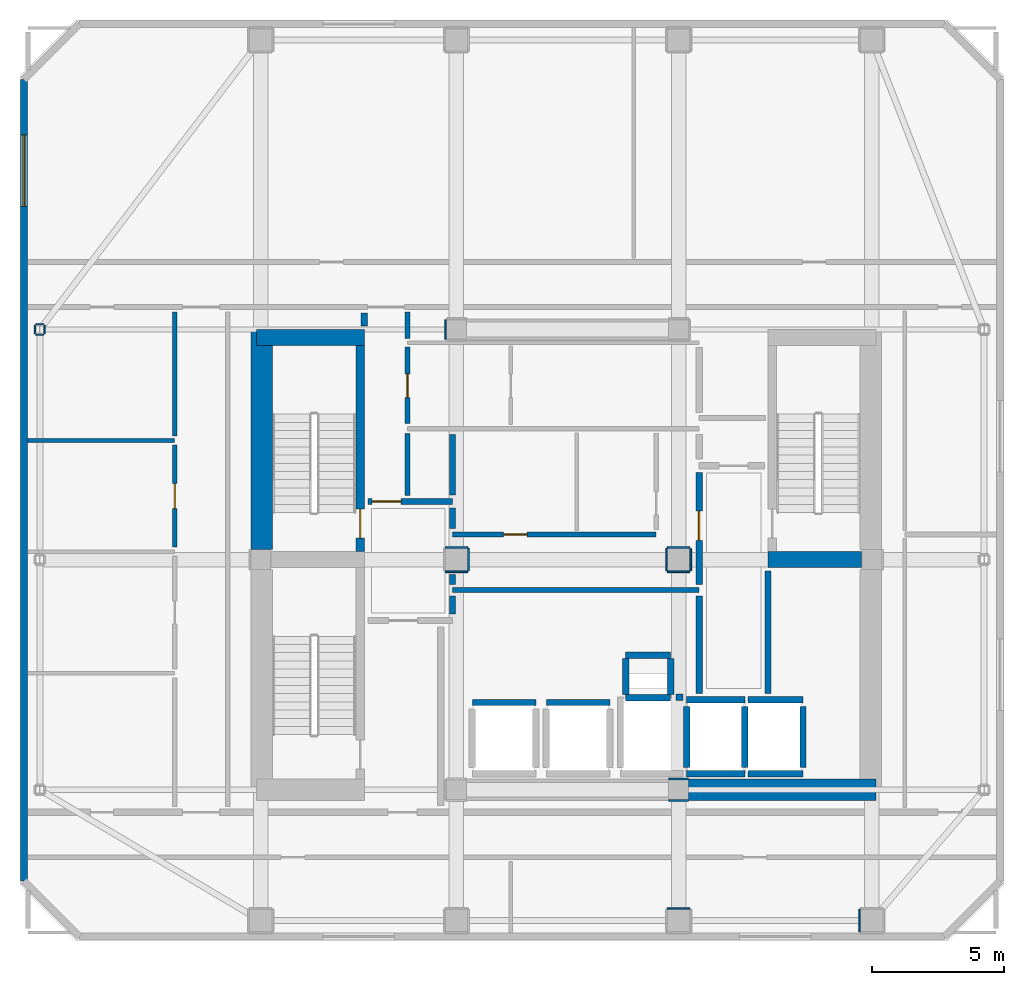
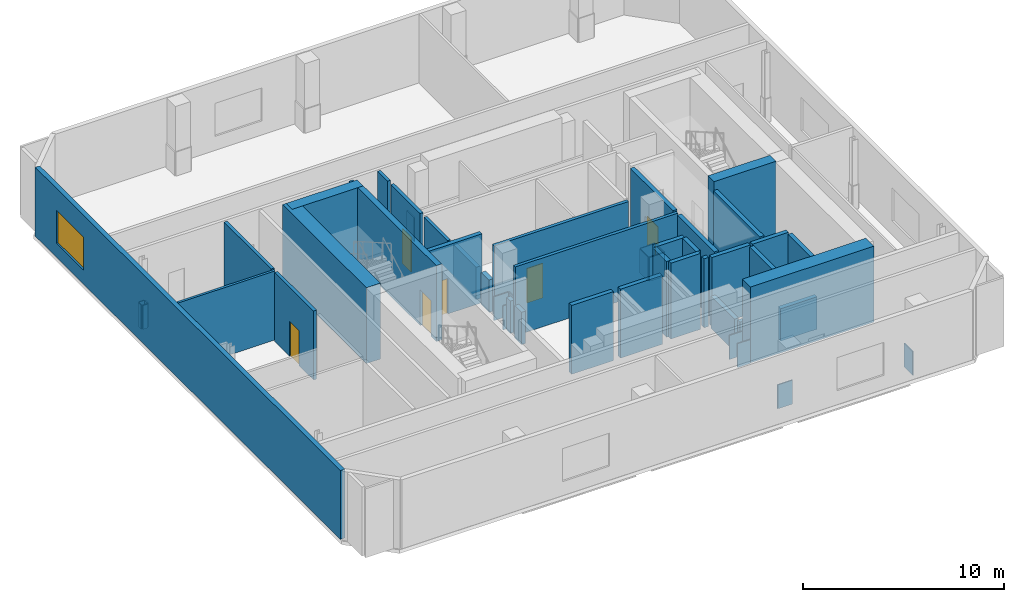
# One storey, part 5 of 9: 53 walls, 6 doors, 1 window, 7 openings.
"""IFC4 building model written with IfcOpenShell, lengths in metres."""

from ifc_helpers import new_model, si_unit, direction, frame, frame_2d, origin, place, context, subcontext, project, spatial, rectangle, extrude, material, layer, layer_set, type_object, element, fill, save


model = new_model("IFC4")

# Units and contexts
model_context = context("Model", 3, precision=1e-05, world=origin(), true_north=direction((0.0, 1.0)))
body_context = subcontext(model_context, "Body", "Model", "MODEL_VIEW")
ifc_project = project(units=[si_unit("LENGTHUNIT", "METRE"), si_unit("AREAUNIT", "SQUARE_METRE"), si_unit("VOLUMEUNIT", "CUBIC_METRE"), si_unit("PLANEANGLEUNIT", "RADIAN"), si_unit("MASSUNIT", "GRAM", prefix="KILO")], contexts=[model_context])

# Site, building, storey
site_placement = place(None, origin())
site = spatial("IfcSite", under=ifc_project, at=site_placement, CompositionType="ELEMENT")
building_placement = place(site_placement, origin())
building = spatial("IfcBuilding", under=site, at=building_placement, Name="Solanera Arch Residences", CompositionType="ELEMENT")
storey_placement = place(building_placement, frame((0.0, 0.0, 273.47998046875)))
storey = spatial("IfcBuildingStorey", under=building, at=storey_placement, Name="L79", CompositionType="ELEMENT", Elevation=273.47998046875)

# Walls
ifc_material_1 = material(Name="Fire-Rated Gypsum Stud Partition", Category="gypsum")
ifc_layer_1 = layer(ifc_material_1, 0.06005859375)
ifc_layer_set_1 = layer_set([ifc_layer_1], Name="Fire-Rated Gypsum Stud Partition")
wall_type_1 = type_object("IfcWallType", Name="Column Acoustic Furring Wall 60", PredefinedType="PARTITIONING", material=ifc_layer_set_1)
for number, where, z_axis, x_axis, name in (
    (1, (28.8330078125, 21.593017578125, 0.0), (0.0, 0.0, 1.0), (1.0, 0.0, 0.0), "L79 Column Furring 2S"),
    (2, (28.8330078125, 22.406982421875, 0.0), (0.0, 0.0, 1.0), (1.0, 0.0, 0.0), "L79 Column Furring 2N"),
):
    element("IfcWall", number, at=place(storey_placement, frame(where, z_axis=z_axis, x_axis=x_axis)), inside=storey, type_object=wall_type_1, Name=name, PredefinedType="PARTITIONING", context=body_context, shape_type="SweptSolid", body=[
        extrude(rectangle(XDim=0.73388671875, YDim=0.06005859375, at=frame_2d((0.366943359375, 0.0))), origin(), (0.0, 0.0, 1.0), 1.449951171875),
    ])
wall_1_placement = place(storey_placement, frame((20.39306640625, 39.02490234375, 0.0), z_axis=(0.0, 0.0, 1.0), x_axis=(0.0, 1.0, 0.0)))
element("IfcWall", 3, at=wall_1_placement, inside=storey, type_object=wall_type_1, Name="L79 Column Furring 3W", PredefinedType="PARTITIONING", context=body_context, shape_type="SweptSolid", body=[
    extrude(rectangle(XDim=0.75, YDim=0.06005859375, at=frame_2d((0.375, 0.0))), origin(), (0.0, 0.0, 1.0), 1.449951171875),
])
for number, where, z_axis, x_axis, name in (
    (4, (20.375, 30.242919921875, 0.0), (0.0, 0.0, 1.0), (1.0, 0.0, 0.0), "L79 Column Furring 7S"),
    (5, (20.375, 31.156982421875, 0.0), (0.0, 0.0, 1.0), (1.0, 0.0, 0.0), "L79 Column Furring 7N"),
    (6, (21.257080078125, 30.27490234375, 0.0), (0.0, 0.0, 1.0), (0.0, 1.0, 0.0), "L79 Column Furring 7E"),
    (7, (28.77490234375, 30.242919921875, 0.0), (0.0, 0.0, 1.0), (1.0, 0.0, 0.0), "L79 Column Furring 8S"),
):
    element("IfcWall", number, at=place(storey_placement, frame(where, z_axis=z_axis, x_axis=x_axis)), inside=storey, type_object=wall_type_1, Name=name, PredefinedType="PARTITIONING", context=body_context, shape_type="SweptSolid", body=[
        extrude(rectangle(XDim=0.85009765625, YDim=0.06005859375, at=frame_2d((0.425048828125, 0.0))), origin(), (0.0, 0.0, 1.0), 1.449951171875),
    ])
wall_2_placement = place(storey_placement, frame((28.77490234375, 31.156982421875, 0.0), z_axis=(0.0, 0.0, 1.0), x_axis=(1.0, 0.0, 0.0)))
element("IfcWall", 8, at=wall_2_placement, inside=storey, type_object=wall_type_1, Name="L79 Column Furring 8N", PredefinedType="PARTITIONING", context=body_context, shape_type="SweptSolid", body=[
    extrude(rectangle(XDim=0.843017578125, YDim=0.06005859375, at=frame_2d((0.42138671875, 0.0))), origin(), (0.0, 0.0, 1.0), 1.449951171875),
])
wall_3_placement = place(storey_placement, frame((28.742919921875, 30.27490234375, 0.0), z_axis=(0.0, 0.0, 1.0), x_axis=(0.0, 1.0, 0.0)))
element("IfcWall", 9, at=wall_3_placement, inside=storey, type_object=wall_type_1, Name="L79 Column Furring 8W", PredefinedType="PARTITIONING", context=body_context, shape_type="SweptSolid", body=[
    extrude(rectangle(XDim=0.85009765625, YDim=0.06005859375, at=frame_2d((0.425048828125, 0.0))), origin(), (0.0, 0.0, 1.0), 1.449951171875),
])
wall_4_placement = place(storey_placement, frame((29.656982421875, 30.27490234375, 0.0), z_axis=(0.0, 0.0, 1.0), x_axis=(0.0, 1.0, 0.0)))
element("IfcWall", 10, at=wall_4_placement, inside=storey, type_object=wall_type_1, Name="L79 Column Furring 8E", PredefinedType="PARTITIONING", context=body_context, shape_type="SweptSolid", body=[
    extrude(rectangle(XDim=0.837158203125, YDim=0.06005859375, at=frame_2d((0.41845703125, 0.0))), origin(), (0.0, 0.0, 1.0), 1.449951171875),
])
for number, where, z_axis, x_axis, name in (
    (11, (28.77490234375, 17.507080078125, 0.0), (0.0, 0.0, 1.0), (1.0, 0.0, 0.0), "L79 Column Furring 13N"),
    (12, (36.04296875, 16.625, 0.0), (0.0, 0.0, 1.0), (0.0, 1.0, 0.0), "L79 Column Furring 15W"),
):
    element("IfcWall", number, at=place(storey_placement, frame(where, z_axis=z_axis, x_axis=x_axis)), inside=storey, type_object=wall_type_1, Name=name, PredefinedType="PARTITIONING", context=body_context, shape_type="SweptSolid", body=[
        extrude(rectangle(XDim=0.85009765625, YDim=0.06005859375, at=frame_2d((0.425048828125, 0.0))), origin(), (0.0, 0.0, 1.0), 1.449951171875),
    ])
for number, where, z_axis, x_axis, name in (
    (13, (4.89697265625, 39.214111328125, 0.0), (0.0, 0.0, 1.0), (1.0, 0.0, 0.0), "L79 Column Furring 21S"),
    (14, (4.89697265625, 39.5859375, 0.0), (0.0, 0.0, 1.0), (1.0, 0.0, 0.0), "L79 Column Furring 21N"),
):
    element("IfcWall", number, at=place(storey_placement, frame(where, z_axis=z_axis, x_axis=x_axis)), inside=storey, type_object=wall_type_1, Name=name, PredefinedType="PARTITIONING", context=body_context, shape_type="SweptSolid", body=[
        extrude(rectangle(XDim=0.304931640625, YDim=0.06005859375, at=frame_2d((0.15234375, 0.0))), origin(), (0.0, 0.0, 1.0), 1.449951171875),
    ])
for number, where, z_axis, x_axis, name in (
    (15, (4.864990234375, 39.24609375, 0.0), (0.0, 0.0, 1.0), (0.0, 1.0, 0.0), "L79 Column Furring 21W"),
    (16, (5.23388671875, 39.24609375, 0.0), (0.0, 0.0, 1.0), (0.0, 1.0, 0.0), "L79 Column Furring 21E"),
):
    element("IfcWall", number, at=place(storey_placement, frame(where, z_axis=z_axis, x_axis=x_axis)), inside=storey, type_object=wall_type_1, Name=name, PredefinedType="PARTITIONING", context=body_context, shape_type="SweptSolid", body=[
        extrude(rectangle(XDim=0.307861328125, YDim=0.06005859375, at=frame_2d((0.15380859375, 0.0))), origin(), (0.0, 0.0, 1.0), 1.449951171875),
    ])

# Wall, opening, door
ifc_material_2 = material(Name="Concrete C40/50 (f'c = 45 MPa)", Category="concrete")
ifc_layer_2 = layer(ifc_material_2, 0.320068359375)
ifc_layer_set_2 = layer_set([ifc_layer_2], Name="Concrete C40/50 (f'c = 45 MPa)")
wall_type_2 = type_object("IfcWallType", Name="Core Shear Wall CW-320", PredefinedType="SHEAR", material=ifc_layer_set_2)
wall_5_placement = place(storey_placement, frame((17.159912109375, 31.0, 0.0), z_axis=(0.0, 0.0, 1.0), x_axis=(0.0, 1.0, 0.0)))
wall_5 = element("IfcWall", 17, at=wall_5_placement, inside=storey, type_object=wall_type_2, Name="L79 Stair ST-T1 East Shear Wall", PredefinedType="SHEAR", context=body_context, shape_type="SweptSolid", body=[
    extrude(rectangle(XDim=7.800048828125, YDim=0.320068359375, at=frame_2d((3.89990234375, 0.0))), origin(), (0.0, 0.0, 1.0), 4.60009765625),
])
opening_1_placement = place(wall_5_placement, frame((0.510009765625, 0.0, 0.0)))
opening_1 = element("IfcOpeningElement", 18, at=opening_1_placement, cuts=wall_5, Name="Opening DF-01", PredefinedType="OPENING", context=body_context, shape_type="SweptSolid", body=[
    extrude(rectangle(XDim=1.10009765625, YDim=2.14990234375, at=frame_2d((0.550048828125, 1.074951171875))), frame((0.0, 0.169921875, 0.0), z_axis=(0.0, -1.0, 0.0), x_axis=(1.0, 0.0, 0.0)), (0.0, 0.0, 1.0), 0.3401),
])
ifc_material_3 = material(Name="Fire-Rated Architectural Hardwood", Category="wood")
door_type_1 = type_object("IfcDoorType", Name="Stair Exit Fire Door DF-01", OperationType="NOTDEFINED", PredefinedType="DOOR", material=ifc_material_3)
door_1_placement = place(opening_1_placement, origin())
door_1 = element("IfcDoor", 19, at=door_1_placement, inside=storey, type_object=door_type_1, Name="DR-L79-STAIR-ST-T1", OperationType="SINGLE_SWING_RIGHT", OverallHeight=2.14990234375, OverallWidth=1.10009765625, PredefinedType="DOOR", context=body_context, shape_type="SweptSolid", body=[
    extrude(rectangle(XDim=1.10009765625, YDim=2.14990234375, at=frame_2d((0.550048828125, 1.074951171875))), frame((0.0, 0.02490234375, 0.0), z_axis=(0.0, -1.0, 0.0), x_axis=(1.0, 0.0, 0.0)), (0.0, 0.0, 1.0), 0.050048828125),
])
fill(opening_1, door_1)

# Walls
ifc_material_4 = material(Name="Concrete C40/50 (f'c = 45 MPa)", Category="concrete")
ifc_layer_3 = layer(ifc_material_4, 0.60009765625)
ifc_layer_set_3 = layer_set([ifc_layer_3], Name="Concrete C40/50 (f'c = 45 MPa)")
wall_type_3 = type_object("IfcWallType", Name="Core Shear Wall CW-600", PredefinedType="SHEAR", material=ifc_layer_set_3)
wall_6_placement = place(storey_placement, frame((13.239990234375, 39.10009765625, 0.0), z_axis=(0.0, 0.0, 1.0), x_axis=(1.0, 0.0, 0.0)))
element("IfcWall", 20, at=wall_6_placement, inside=storey, type_object=wall_type_3, Name="L79 North-West Core Shear Wall", PredefinedType="SHEAR", context=body_context, shape_type="SweptSolid", body=[
    extrude(rectangle(XDim=4.080078125, YDim=0.60009765625, at=frame_2d((2.0400390625, 0.0))), origin(), (0.0, 0.0, 1.0), 4.60009765625),
])
wall_7_placement = place(storey_placement, frame((32.580078125, 30.699951171875, 0.0), z_axis=(0.0, 0.0, 1.0), x_axis=(1.0, 0.0, 0.0)))
element("IfcWall", 21, at=wall_7_placement, inside=storey, type_object=wall_type_3, Name="L79 East Stair Far-Landing Shear Wall", PredefinedType="SHEAR", context=body_context, shape_type="SweptSolid", body=[
    extrude(rectangle(XDim=3.5400390625, YDim=0.60009765625, at=frame_2d((1.77001953125, 0.0))), origin(), (0.0, 0.0, 1.0), 4.60009765625),
])
ifc_material_5 = material(Name="Concrete C40/50 (f'c = 45 MPa)", Category="concrete")
ifc_layer_4 = layer(ifc_material_5, 0.800048828125)
ifc_layer_set_4 = layer_set([ifc_layer_4], Name="Concrete C40/50 (f'c = 45 MPa)")
wall_type_4 = type_object("IfcWallType", Name="Core Shear Wall CW-800", PredefinedType="SHEAR", material=ifc_layer_set_4)
wall_8_placement = place(storey_placement, frame((13.43994140625, 31.080078125, 0.0), z_axis=(0.0, 0.0, 1.0), x_axis=(0.0, 1.0, 0.0)))
element("IfcWall", 22, at=wall_8_placement, inside=storey, type_object=wall_type_4, Name="L79 West Core North Shear Wall", PredefinedType="SHEAR", context=body_context, shape_type="SweptSolid", body=[
    extrude(rectangle(XDim=8.31982421875, YDim=0.800048828125, at=frame_2d((4.159912109375, 0.0))), origin(), (0.0, 0.0, 1.0), 4.60009765625),
])
wall_9_placement = place(storey_placement, frame((29.580078125, 22.0, 0.0), z_axis=(0.0, 0.0, 1.0), x_axis=(1.0, 0.0, 0.0)))
element("IfcWall", 23, at=wall_9_placement, inside=storey, type_object=wall_type_4, Name="L79 South-East Core Shear Wall", PredefinedType="SHEAR", context=body_context, shape_type="SweptSolid", body=[
    extrude(rectangle(XDim=7.079833984375, YDim=0.800048828125, at=frame_2d((3.5400390625, 0.0))), origin(), (0.0, 0.0, 1.0), 4.60009765625),
])
ifc_material_6 = material(Name="Autoclaved Aerated Concrete Blockwork", Category="masonry")
ifc_layer_5 = layer(ifc_material_6, 0.179931640625)
ifc_layer_set_5 = layer_set([ifc_layer_5], Name="Autoclaved Aerated Concrete Blockwork")
wall_type_5 = type_object("IfcWallType", Name="Corridor Fire Partition 180", PredefinedType="PARTITIONING", material=ifc_layer_set_5)
wall_10_placement = place(storey_placement, frame((20.64990234375, 29.550048828125, 0.0), z_axis=(0.0, 0.0, 1.0), x_axis=(1.0, 0.0, 0.0)))
element("IfcWall", 24, at=wall_10_placement, inside=storey, type_object=wall_type_5, Name="L79 Interior Partition H7", PredefinedType="PARTITIONING", context=body_context, shape_type="SweptSolid", body=[
    extrude(rectangle(XDim=9.3251953125, YDim=0.179931640625, at=frame_2d((4.66259765625, 0.0))), origin(), (0.0, 0.0, 1.0), 4.179931640625),
])

# Wall, opening, door
wall_11_placement = place(storey_placement, frame((20.64990234375, 31.64990234375, 0.0), z_axis=(0.0, 0.0, 1.0), x_axis=(1.0, 0.0, 0.0)))
wall_11 = element("IfcWall", 25, at=wall_11_placement, inside=storey, type_object=wall_type_5, Name="L79 Interior Partition H8", PredefinedType="PARTITIONING", context=body_context, shape_type="SweptSolid", body=[
    extrude(rectangle(XDim=7.7001953125, YDim=0.179931640625, at=frame_2d((3.85009765625, 0.0))), origin(), (0.0, 0.0, 1.0), 4.179931640625),
])
opening_2_placement = place(wall_11_placement, frame((1.924072265625, 0.0, 0.0)))
opening_2 = element("IfcOpeningElement", 26, at=opening_2_placement, cuts=wall_11, Name="Opening DI-02", PredefinedType="OPENING", context=body_context, shape_type="SweptSolid", body=[
    extrude(rectangle(XDim=0.89990234375, YDim=2.10009765625, at=frame_2d((0.449951171875, 1.050048828125))), frame((0.0, 0.10009765625, 0.0), z_axis=(0.0, -1.0, 0.0), x_axis=(1.0, 0.0, 0.0)), (0.0, 0.0, 1.0), 0.1999),
])
ifc_material_7 = material(Name="Fire-Rated Architectural Hardwood", Category="wood")
door_type_2 = type_object("IfcDoorType", Name="Suite Room Swing Door DI-02", OperationType="NOTDEFINED", PredefinedType="DOOR", material=ifc_material_7)
door_2_placement = place(opening_2_placement, origin())
door_2 = element("IfcDoor", 27, at=door_2_placement, inside=storey, type_object=door_type_2, Name="DR-L79-IN-014", OperationType="SINGLE_SWING_LEFT", OverallHeight=2.10009765625, OverallWidth=0.89990234375, PredefinedType="DOOR", context=body_context, shape_type="SweptSolid", body=[
    extrude(rectangle(XDim=0.89990234375, YDim=2.10009765625, at=frame_2d((0.449951171875, 1.050048828125))), frame((0.0, 0.02490234375, 0.0), z_axis=(0.0, -1.0, 0.0), x_axis=(1.0, 0.0, 0.0)), (0.0, 0.0, 1.0), 0.050048828125),
])
fill(opening_2, door_2)

wall_12_placement = place(storey_placement, frame((10.14990234375, 31.16796875, 0.0), z_axis=(0.0, 0.0, 1.0), x_axis=(0.0, 1.0, 0.0)))
wall_12 = element("IfcWall", 28, at=wall_12_placement, inside=storey, type_object=wall_type_5, Name="L79 Interior Partition V7 3", PredefinedType="PARTITIONING", context=body_context, shape_type="SweptSolid", body=[
    extrude(rectangle(XDim=3.864013671875, YDim=0.179931640625, at=frame_2d((1.93212890625, 0.0))), origin(), (0.0, 0.0, 1.0), 4.179931640625),
])
opening_3_placement = place(wall_12_placement, frame((1.45703125, 0.0, 0.0)))
opening_3 = element("IfcOpeningElement", 29, at=opening_3_placement, cuts=wall_12, Name="Opening DI-04", PredefinedType="OPENING", context=body_context, shape_type="SweptSolid", body=[
    extrude(rectangle(XDim=0.949951171875, YDim=2.10009765625, at=frame_2d((0.47509765625, 1.050048828125))), frame((0.0, 0.10009765625, 0.0), z_axis=(0.0, -1.0, 0.0), x_axis=(1.0, 0.0, 0.0)), (0.0, 0.0, 1.0), 0.1999),
])
ifc_material_8 = material(Name="Fire-Rated Architectural Hardwood", Category="wood")
door_type_3 = type_object("IfcDoorType", Name="Accessible Restroom Door DI-04", OperationType="NOTDEFINED", PredefinedType="DOOR", material=ifc_material_8)
door_3_placement = place(opening_3_placement, origin())
door_3 = element("IfcDoor", 30, at=door_3_placement, inside=storey, type_object=door_type_3, Name="DR-L79-IN-022", OperationType="SINGLE_SWING_LEFT", OverallHeight=2.10009765625, OverallWidth=0.949951171875, PredefinedType="DOOR", context=body_context, shape_type="SweptSolid", body=[
    extrude(rectangle(XDim=0.949951171875, YDim=2.10009765625, at=frame_2d((0.47509765625, 1.050048828125))), frame((0.0, 0.02490234375, 0.0), z_axis=(0.0, -1.0, 0.0), x_axis=(1.0, 0.0, 0.0)), (0.0, 0.0, 1.0), 0.050048828125),
])
fill(opening_3, door_3)

# Walls
wall_13_placement = place(storey_placement, frame((10.14990234375, 35.367919921875, 0.0), z_axis=(0.0, 0.0, 1.0), x_axis=(0.0, 1.0, 0.0)))
element("IfcWall", 31, at=wall_13_placement, inside=storey, type_object=wall_type_5, Name="L79 Interior Partition V7 4", PredefinedType="PARTITIONING", context=body_context, shape_type="SweptSolid", body=[
    extrude(rectangle(XDim=4.694091796875, YDim=0.179931640625, at=frame_2d((2.34716796875, 0.0))), origin(), (0.0, 0.0, 1.0), 4.179931640625),
])
wall_14_placement = place(storey_placement, frame((18.949951171875, 33.117919921875, 0.0), z_axis=(0.0, 0.0, 1.0), x_axis=(0.0, 1.0, 0.0)))
element("IfcWall", 32, at=wall_14_placement, inside=storey, type_object=wall_type_5, Name="L79 Interior Partition V9 1", PredefinedType="PARTITIONING", context=body_context, shape_type="SweptSolid", body=[
    extrude(rectangle(XDim=2.343994140625, YDim=0.179931640625, at=frame_2d((1.171875, 0.0))), origin(), (0.0, 0.0, 1.0), 4.179931640625),
])

# Wall, opening, door
wall_15_placement = place(storey_placement, frame((18.949951171875, 35.837890625, 0.0), z_axis=(0.0, 0.0, 1.0), x_axis=(0.0, 1.0, 0.0)))
wall_15 = element("IfcWall", 33, at=wall_15_placement, inside=storey, type_object=wall_type_5, Name="L79 Interior Partition V9 2", PredefinedType="PARTITIONING", context=body_context, shape_type="SweptSolid", body=[
    extrude(rectangle(XDim=2.904052734375, YDim=0.179931640625, at=frame_2d((1.4521484375, 0.0))), origin(), (0.0, 0.0, 1.0), 4.179931640625),
])
opening_4_placement = place(wall_15_placement, frame((0.987060546875, 0.0, 0.0)))
opening_4 = element("IfcOpeningElement", 34, at=opening_4_placement, cuts=wall_15, Name="Opening DI-02", PredefinedType="OPENING", context=body_context, shape_type="SweptSolid", body=[
    extrude(rectangle(XDim=0.89990234375, YDim=2.10009765625, at=frame_2d((0.449951171875, 1.050048828125))), frame((0.0, 0.10009765625, 0.0), z_axis=(0.0, -1.0, 0.0), x_axis=(1.0, 0.0, 0.0)), (0.0, 0.0, 1.0), 0.1999),
])
door_4_placement = place(opening_4_placement, origin())
door_4 = element("IfcDoor", 35, at=door_4_placement, inside=storey, type_object=door_type_2, Name="DR-L79-IN-012", OperationType="SINGLE_SWING_LEFT", OverallHeight=2.10009765625, OverallWidth=0.89990234375, PredefinedType="DOOR", context=body_context, shape_type="SweptSolid", body=[
    extrude(rectangle(XDim=0.89990234375, YDim=2.10009765625, at=frame_2d((0.449951171875, 1.050048828125))), frame((0.0, 0.02490234375, 0.0), z_axis=(0.0, -1.0, 0.0), x_axis=(1.0, 0.0, 0.0)), (0.0, 0.0, 1.0), 0.050048828125),
])
fill(opening_4, door_4)

# Wall
wall_16_placement = place(storey_placement, frame((18.949951171875, 39.05810546875, 0.0), z_axis=(0.0, 0.0, 1.0), x_axis=(0.0, 1.0, 0.0)))
element("IfcWall", 36, at=wall_16_placement, inside=storey, type_object=wall_type_5, Name="L79 Interior Partition V9 3", PredefinedType="PARTITIONING", context=body_context, shape_type="SweptSolid", body=[
    extrude(rectangle(XDim=1.00390625, YDim=0.179931640625, at=frame_2d((0.501953125, 0.0))), origin(), (0.0, 0.0, 1.0), 4.179931640625),
])

# Wall, opening, window
ifc_material_9 = material(Name="Precast Concrete C35/45", Category="concrete")
ifc_layer_6 = layer(ifc_material_9, 0.260009765625)
ifc_layer_set_6 = layer_set([ifc_layer_6], Name="Precast Concrete C35/45")
wall_type_6 = type_object("IfcWallType", Name="Exterior Wall Precast Masonry-Frame 260", PredefinedType="STANDARD", material=ifc_layer_set_6)
wall_17_placement = place(storey_placement, frame((4.445068359375, 18.544921875, 0.0), z_axis=(0.0, 0.0, 1.0), x_axis=(0.0, 1.0, 0.0)))
wall_17 = element("IfcWall", 37, at=wall_17_placement, inside=storey, type_object=wall_type_6, Name="L79 Tower Exterior Precast Masonry-Frame Wall W", PredefinedType="STANDARD", context=body_context, shape_type="SweptSolid", body=[
    extrude(rectangle(XDim=30.31005859375, YDim=0.260009765625, at=frame_2d((15.155029296875, 0.0))), origin(), (0.0, 0.0, 1.0), 4.179931640625),
])
opening_5_placement = place(wall_17_placement, frame((25.511962890625, 0.0, 0.85009765625)))
opening_5 = element("IfcOpeningElement", 38, at=opening_5_placement, cuts=wall_17, Name="Opening W-09", PredefinedType="OPENING", context=body_context, shape_type="SweptSolid", body=[
    extrude(rectangle(XDim=2.699951171875, YDim=2.0, at=frame_2d((1.35009765625, 1.0))), frame((0.0, 0.139892578125, 0.0), z_axis=(0.0, -1.0, 0.0), x_axis=(1.0, 0.0, 0.0)), (0.0, 0.0, 1.0), 0.28),
])
ifc_material_10 = material(Name="Double Glazed Low-E Laminated Glass", Category="glass")
window_type = type_object("IfcWindowType", Name="Punched Window W-09", PartitioningType="TRIPLE_PANEL_VERTICAL", PredefinedType="WINDOW", material=ifc_material_10)
window_placement = place(opening_5_placement, origin())
window = element("IfcWindow", 39, at=window_placement, inside=storey, type_object=window_type, Name="L79 DIN-N Punched Window", OverallHeight=2.0, OverallWidth=2.699951171875, PartitioningType="SINGLE_PANEL", PredefinedType="WINDOW", context=body_context, shape_type="SweptSolid", body=[
    extrude(rectangle(XDim=2.699951171875, YDim=2.0, at=frame_2d((1.35009765625, 1.0))), frame((0.0, 0.030029296875, 0.0), z_axis=(0.0, -1.0, 0.0), x_axis=(1.0, 0.0, 0.0)), (0.0, 0.0, 1.0), 0.06005859375),
])
fill(opening_5, window)

# Walls
ifc_material_11 = material(Name="Concrete C40/50 (f'c = 45 MPa)", Category="concrete")
ifc_layer_7 = layer(ifc_material_11, 0.239990234375)
ifc_layer_set_7 = layer_set([ifc_layer_7], Name="Concrete C40/50 (f'c = 45 MPa)")
wall_type_7 = type_object("IfcWallType", Name="Ramp Bearing Shear Wall RW-240", PredefinedType="SHEAR", material=ifc_layer_set_7)
for number, where, z_axis, x_axis, name in (
    (40, (27.199951171875, 25.47998046875, 0.0), (0.0, 0.0, 1.0), (1.0, 0.0, 0.0), "L79 Core MEP Riser South Shaft Wall"),
    (41, (27.199951171875, 27.080078125, 0.0), (0.0, 0.0, 1.0), (1.0, 0.0, 0.0), "L79 Core MEP Riser North Shaft Wall"),
):
    element("IfcWall", number, at=place(storey_placement, frame(where, z_axis=z_axis, x_axis=x_axis)), inside=storey, type_object=wall_type_7, Name=name, PredefinedType="SHEAR", context=body_context, shape_type="SweptSolid", body=[
        extrude(rectangle(XDim=1.699951171875, YDim=0.239990234375, at=frame_2d((0.85009765625, 0.0))), origin(), (0.0, 0.0, 1.0), 4.60009765625),
    ])
for number, where, z_axis, x_axis, name in (
    (42, (27.199951171875, 25.60009765625, 0.0), (0.0, 0.0, 1.0), (0.0, 1.0, 0.0), "L79 Core MEP Riser West Shaft Wall"),
    (43, (28.89990234375, 25.60009765625, 0.0), (0.0, 0.0, 1.0), (0.0, 1.0, 0.0), "L79 Core MEP Riser East Shaft Wall"),
):
    element("IfcWall", number, at=place(storey_placement, frame(where, z_axis=z_axis, x_axis=x_axis)), inside=storey, type_object=wall_type_7, Name=name, PredefinedType="SHEAR", context=body_context, shape_type="SweptSolid", body=[
        extrude(rectangle(XDim=1.35986328125, YDim=0.239990234375, at=frame_2d((0.679931640625, 0.0))), origin(), (0.0, 0.0, 1.0), 4.60009765625),
    ])
ifc_material_12 = material(Name="Autoclaved Aerated Concrete Blockwork", Category="masonry")
ifc_layer_8 = layer(ifc_material_12, 0.239990234375)
ifc_layer_set_8 = layer_set([ifc_layer_8], Name="Autoclaved Aerated Concrete Blockwork")
wall_type_8 = type_object("IfcWallType", Name="Shaft Wall Fire-Rated 240", PredefinedType="PARTITIONING", material=ifc_layer_set_8)
for number, where, z_axis, x_axis, name in (
    (44, (21.39990234375, 25.300048828125, 0.0), (0.0, 0.0, 1.0), (1.0, 0.0, 0.0), "L79 Lift PL-OBS1 Hoistway Wall N"),
    (45, (24.199951171875, 25.300048828125, 0.0), (0.0, 0.0, 1.0), (1.0, 0.0, 0.0), "L79 Lift PL-OBS2 Hoistway Wall N"),
):
    element("IfcWall", number, at=place(storey_placement, frame(where, z_axis=z_axis, x_axis=x_axis)), inside=storey, type_object=wall_type_8, Name=name, PredefinedType="PARTITIONING", context=body_context, shape_type="SweptSolid", body=[
        extrude(rectangle(XDim=2.400146484375, YDim=0.239990234375, at=frame_2d((1.2001953125, 0.0))), origin(), (0.0, 0.0, 1.0), 4.179931640625),
    ])
wall_18_placement = place(storey_placement, frame((29.5, 22.60009765625, 0.0), z_axis=(0.0, 0.0, 1.0), x_axis=(1.0, 0.0, 0.0)))
element("IfcWall", 46, at=wall_18_placement, inside=storey, type_object=wall_type_8, Name="L79 Lift FFL-1 Hoistway Wall S", PredefinedType="PARTITIONING", context=body_context, shape_type="SweptSolid", body=[
    extrude(rectangle(XDim=2.199951171875, YDim=0.239990234375, at=frame_2d((1.10009765625, 0.0))), origin(), (0.0, 0.0, 1.0), 1.965087890625),
])
wall_19_placement = place(storey_placement, frame((29.5, 25.39990234375, 0.0), z_axis=(0.0, 0.0, 1.0), x_axis=(1.0, 0.0, 0.0)))
element("IfcWall", 47, at=wall_19_placement, inside=storey, type_object=wall_type_8, Name="L79 Lift FFL-1 Hoistway Wall N", PredefinedType="PARTITIONING", context=body_context, shape_type="SweptSolid", body=[
    extrude(rectangle(XDim=2.199951171875, YDim=0.239990234375, at=frame_2d((1.10009765625, 0.0))), origin(), (0.0, 0.0, 1.0), 4.179931640625),
])
wall_20_placement = place(storey_placement, frame((29.5, 22.847900390625, 0.0), z_axis=(0.0, 0.0, 1.0), x_axis=(0.0, 1.0, 0.0)))
element("IfcWall", 48, at=wall_20_placement, inside=storey, type_object=wall_type_8, Name="L79 Lift FFL-1 Hoistway Wall W", PredefinedType="PARTITIONING", context=body_context, shape_type="SweptSolid", body=[
    extrude(rectangle(XDim=2.30419921875, YDim=0.239990234375, at=frame_2d((1.152099609375, 0.0))), origin(), (0.0, 0.0, 1.0), 1.965087890625),
])
wall_21_placement = place(storey_placement, frame((31.699951171875, 22.847900390625, 0.0), z_axis=(0.0, 0.0, 1.0), x_axis=(0.0, 1.0, 0.0)))
element("IfcWall", 49, at=wall_21_placement, inside=storey, type_object=wall_type_8, Name="L79 Lift FFL-1 Hoistway Wall E", PredefinedType="PARTITIONING", context=body_context, shape_type="SweptSolid", body=[
    extrude(rectangle(XDim=2.30419921875, YDim=0.239990234375, at=frame_2d((1.152099609375, 0.0))), origin(), (0.0, 0.0, 1.0), 4.179931640625),
])
wall_22_placement = place(storey_placement, frame((31.827880859375, 22.60009765625, 0.0), z_axis=(0.0, 0.0, 1.0), x_axis=(1.0, 0.0, 0.0)))
element("IfcWall", 50, at=wall_22_placement, inside=storey, type_object=wall_type_8, Name="L79 Lift FFL-2 Hoistway Wall S", PredefinedType="PARTITIONING", context=body_context, shape_type="SweptSolid", body=[
    extrude(rectangle(XDim=2.072021484375, YDim=0.239990234375, at=frame_2d((1.0361328125, 0.0))), origin(), (0.0, 0.0, 1.0), 1.965087890625),
])
wall_23_placement = place(storey_placement, frame((31.827880859375, 25.39990234375, 0.0), z_axis=(0.0, 0.0, 1.0), x_axis=(1.0, 0.0, 0.0)))
element("IfcWall", 51, at=wall_23_placement, inside=storey, type_object=wall_type_8, Name="L79 Lift FFL-2 Hoistway Wall N", PredefinedType="PARTITIONING", context=body_context, shape_type="SweptSolid", body=[
    extrude(rectangle(XDim=2.072021484375, YDim=0.239990234375, at=frame_2d((1.0361328125, 0.0))), origin(), (0.0, 0.0, 1.0), 4.179931640625),
])
wall_24_placement = place(storey_placement, frame((33.89990234375, 22.847900390625, 0.0), z_axis=(0.0, 0.0, 1.0), x_axis=(0.0, 1.0, 0.0)))
element("IfcWall", 52, at=wall_24_placement, inside=storey, type_object=wall_type_8, Name="L79 Lift FFL-2 Hoistway Wall E", PredefinedType="PARTITIONING", context=body_context, shape_type="SweptSolid", body=[
    extrude(rectangle(XDim=2.30419921875, YDim=0.239990234375, at=frame_2d((1.152099609375, 0.0))), origin(), (0.0, 0.0, 1.0), 4.179931640625),
])
wall_25_placement = place(storey_placement, frame((29.10302734375, 25.5, 0.0), z_axis=(0.0, 0.0, 1.0), x_axis=(1.0, 0.0, 0.0)))
element("IfcWall", 53, at=wall_25_placement, inside=storey, type_object=wall_type_8, Name="L79 Lift SVL-1 Hoistway Wall N", PredefinedType="PARTITIONING", context=body_context, shape_type="SweptSolid", body=[
    extrude(rectangle(XDim=0.26904296875, YDim=0.239990234375, at=frame_2d((0.134521484375, 0.0))), origin(), (0.0, 0.0, 1.0), 4.179931640625),
])

# Wall, opening, door
wall_26_placement = place(storey_placement, frame((17.449951171875, 32.89990234375, 0.0), z_axis=(0.0, 0.0, 1.0), x_axis=(1.0, 0.0, 0.0)))
wall_26 = element("IfcWall", 54, at=wall_26_placement, inside=storey, type_object=wall_type_8, Name="L79 Interior Partition H4", PredefinedType="PARTITIONING", context=body_context, shape_type="SweptSolid", body=[
    extrude(rectangle(XDim=3.199951171875, YDim=0.239990234375, at=frame_2d((1.60009765625, 0.0))), origin(), (0.0, 0.0, 1.0), 4.179931640625),
])
opening_6_placement = place(wall_26_placement, frame((0.158935546875, 0.0, 0.0)))
opening_6 = element("IfcOpeningElement", 55, at=opening_6_placement, cuts=wall_26, Name="Opening DF-02", PredefinedType="OPENING", context=body_context, shape_type="SweptSolid", body=[
    extrude(rectangle(XDim=1.10009765625, YDim=2.14990234375, at=frame_2d((0.550048828125, 1.074951171875))), frame((0.0, 0.1298828125, 0.0), z_axis=(0.0, -1.0, 0.0), x_axis=(1.0, 0.0, 0.0)), (0.0, 0.0, 1.0), 0.26),
])
ifc_material_13 = material(Name="Fire-Rated Architectural Hardwood", Category="wood")
door_type_4 = type_object("IfcDoorType", Name="Firefighting Lobby Fire Door DF-02", OperationType="NOTDEFINED", PredefinedType="DOOR", material=ifc_material_13)
door_5_placement = place(opening_6_placement, origin())
door_5 = element("IfcDoor", 56, at=door_5_placement, inside=storey, type_object=door_type_4, Name="DR-L79-IN-005", OperationType="SINGLE_SWING_RIGHT", OverallHeight=2.14990234375, OverallWidth=1.10009765625, PredefinedType="DOOR", context=body_context, shape_type="SweptSolid", body=[
    extrude(rectangle(XDim=1.10009765625, YDim=2.14990234375, at=frame_2d((0.550048828125, 1.074951171875))), frame((0.0, 0.02490234375, 0.0), z_axis=(0.0, -1.0, 0.0), x_axis=(1.0, 0.0, 0.0)), (0.0, 0.0, 1.0), 0.050048828125),
])
fill(opening_6, door_5)

# Walls
wall_27_placement = place(storey_placement, frame((17.320068359375, 39.530029296875, 0.0), z_axis=(0.0, 0.0, 1.0), x_axis=(0.0, 1.0, 0.0)))
element("IfcWall", 57, at=wall_27_placement, inside=storey, type_object=wall_type_8, Name="L79 Interior Partition V1", PredefinedType="PARTITIONING", context=body_context, shape_type="SweptSolid", body=[
    extrude(rectangle(XDim=0.501953125, YDim=0.239990234375, at=frame_2d((0.2509765625, 0.0))), origin(), (0.0, 0.0, 1.0), 4.179931640625),
])
wall_28_placement = place(storey_placement, frame((20.64990234375, 28.64794921875, 0.0), z_axis=(0.0, 0.0, 1.0), x_axis=(0.0, 1.0, 0.0)))
element("IfcWall", 58, at=wall_28_placement, inside=storey, type_object=wall_type_8, Name="L79 Interior Partition V3 1", PredefinedType="PARTITIONING", context=body_context, shape_type="SweptSolid", body=[
    extrude(rectangle(XDim=0.68408203125, YDim=0.239990234375, at=frame_2d((0.342041015625, 0.0))), origin(), (0.0, 0.0, 1.0), 1.965087890625),
])
wall_29_placement = place(storey_placement, frame((20.64990234375, 29.76806640625, 0.0), z_axis=(0.0, 0.0, 1.0), x_axis=(0.0, 1.0, 0.0)))
element("IfcWall", 59, at=wall_29_placement, inside=storey, type_object=wall_type_8, Name="L79 Interior Partition V3 2", PredefinedType="PARTITIONING", context=body_context, shape_type="SweptSolid", body=[
    extrude(rectangle(XDim=0.375, YDim=0.239990234375, at=frame_2d((0.1875, 0.0))), origin(), (0.0, 0.0, 1.0), 1.965087890625),
])
wall_30_placement = place(storey_placement, frame((20.64990234375, 31.867919921875, 0.0), z_axis=(0.0, 0.0, 1.0), x_axis=(0.0, 1.0, 0.0)))
element("IfcWall", 60, at=wall_30_placement, inside=storey, type_object=wall_type_8, Name="L79 Interior Partition V3 3", PredefinedType="PARTITIONING", context=body_context, shape_type="SweptSolid", body=[
    extrude(rectangle(XDim=0.7841796875, YDim=0.239990234375, at=frame_2d((0.39208984375, 0.0))), origin(), (0.0, 0.0, 1.0), 1.965087890625),
])
wall_31_placement = place(storey_placement, frame((20.64990234375, 33.14794921875, 0.0), z_axis=(0.0, 0.0, 1.0), x_axis=(0.0, 1.0, 0.0)))
element("IfcWall", 61, at=wall_31_placement, inside=storey, type_object=wall_type_8, Name="L79 Interior Partition V3 4", PredefinedType="PARTITIONING", context=body_context, shape_type="SweptSolid", body=[
    extrude(rectangle(XDim=2.283935546875, YDim=0.239990234375, at=frame_2d((1.14208984375, 0.0))), origin(), (0.0, 0.0, 1.0), 1.965087890625),
])
wall_32_placement = place(storey_placement, frame((29.97509765625, 25.64794921875, 0.0), z_axis=(0.0, 0.0, 1.0), x_axis=(0.0, 1.0, 0.0)))
element("IfcWall", 62, at=wall_32_placement, inside=storey, type_object=wall_type_8, Name="L79 Interior Partition V4 1", PredefinedType="PARTITIONING", context=body_context, shape_type="SweptSolid", body=[
    extrude(rectangle(XDim=3.68408203125, YDim=0.239990234375, at=frame_2d((1.842041015625, 0.0))), origin(), (0.0, 0.0, 1.0), 4.179931640625),
])

# Wall, opening, door
wall_33_placement = place(storey_placement, frame((29.97509765625, 29.76806640625, 0.0), z_axis=(0.0, 0.0, 1.0), x_axis=(0.0, 1.0, 0.0)))
wall_33 = element("IfcWall", 63, at=wall_33_placement, inside=storey, type_object=wall_type_8, Name="L79 Interior Partition V4 2", PredefinedType="PARTITIONING", context=body_context, shape_type="SweptSolid", body=[
    extrude(rectangle(XDim=4.23388671875, YDim=0.239990234375, at=frame_2d((2.116943359375, 0.0))), origin(), (0.0, 0.0, 1.0), 4.179931640625),
])
opening_7_placement = place(wall_33_placement, frame((1.662109375, 0.0, 0.0)))
opening_7 = element("IfcOpeningElement", 64, at=opening_7_placement, cuts=wall_33, Name="Opening DF-02", PredefinedType="OPENING", context=body_context, shape_type="SweptSolid", body=[
    extrude(rectangle(XDim=1.10009765625, YDim=2.14990234375, at=frame_2d((0.550048828125, 1.074951171875))), frame((0.0, 0.1298828125, 0.0), z_axis=(0.0, -1.0, 0.0), x_axis=(1.0, 0.0, 0.0)), (0.0, 0.0, 1.0), 0.26),
])
door_6_placement = place(opening_7_placement, origin())
door_6 = element("IfcDoor", 65, at=door_6_placement, inside=storey, type_object=door_type_4, Name="DR-L79-IN-006", OperationType="SINGLE_SWING_LEFT", OverallHeight=2.14990234375, OverallWidth=1.10009765625, PredefinedType="DOOR", context=body_context, shape_type="SweptSolid", body=[
    extrude(rectangle(XDim=1.10009765625, YDim=2.14990234375, at=frame_2d((0.550048828125, 1.074951171875))), frame((0.0, 0.02490234375, 0.0), z_axis=(0.0, -1.0, 0.0), x_axis=(1.0, 0.0, 0.0)), (0.0, 0.0, 1.0), 0.050048828125),
])
fill(opening_7, door_6)

# Walls
wall_34_placement = place(storey_placement, frame((32.580078125, 25.64794921875, 0.0), z_axis=(0.0, 0.0, 1.0), x_axis=(0.0, 1.0, 0.0)))
element("IfcWall", 66, at=wall_34_placement, inside=storey, type_object=wall_type_8, Name="L79 Interior Partition V5", PredefinedType="PARTITIONING", context=body_context, shape_type="SweptSolid", body=[
    extrude(rectangle(XDim=4.6220703125, YDim=0.239990234375, at=frame_2d((2.31103515625, 0.0))), origin(), (0.0, 0.0, 1.0), 4.179931640625),
])
ifc_material_14 = material(Name="Autoclaved Aerated Concrete Blockwork", Category="masonry")
ifc_layer_9 = layer(ifc_material_14, 0.139892578125)
ifc_layer_set_9 = layer_set([ifc_layer_9], Name="Autoclaved Aerated Concrete Blockwork")
wall_type_9 = type_object("IfcWallType", Name="Wet-Room Partition 140", PredefinedType="PARTITIONING", material=ifc_layer_set_9)
wall_35_placement = place(storey_placement, frame((4.5869140625, 35.199951171875, 0.0), z_axis=(0.0, 0.0, 1.0), x_axis=(1.0, 0.0, 0.0)))
element("IfcWall", 67, at=wall_35_placement, inside=storey, type_object=wall_type_9, Name="L79 Interior Partition H16", PredefinedType="PARTITIONING", context=body_context, shape_type="SweptSolid", body=[
    extrude(rectangle(XDim=5.56298828125, YDim=0.139892578125, at=frame_2d((2.781494140625, 0.0))), origin(), (0.0, 0.0, 1.0), 4.179931640625),
])

save(model, "model.ifc")
